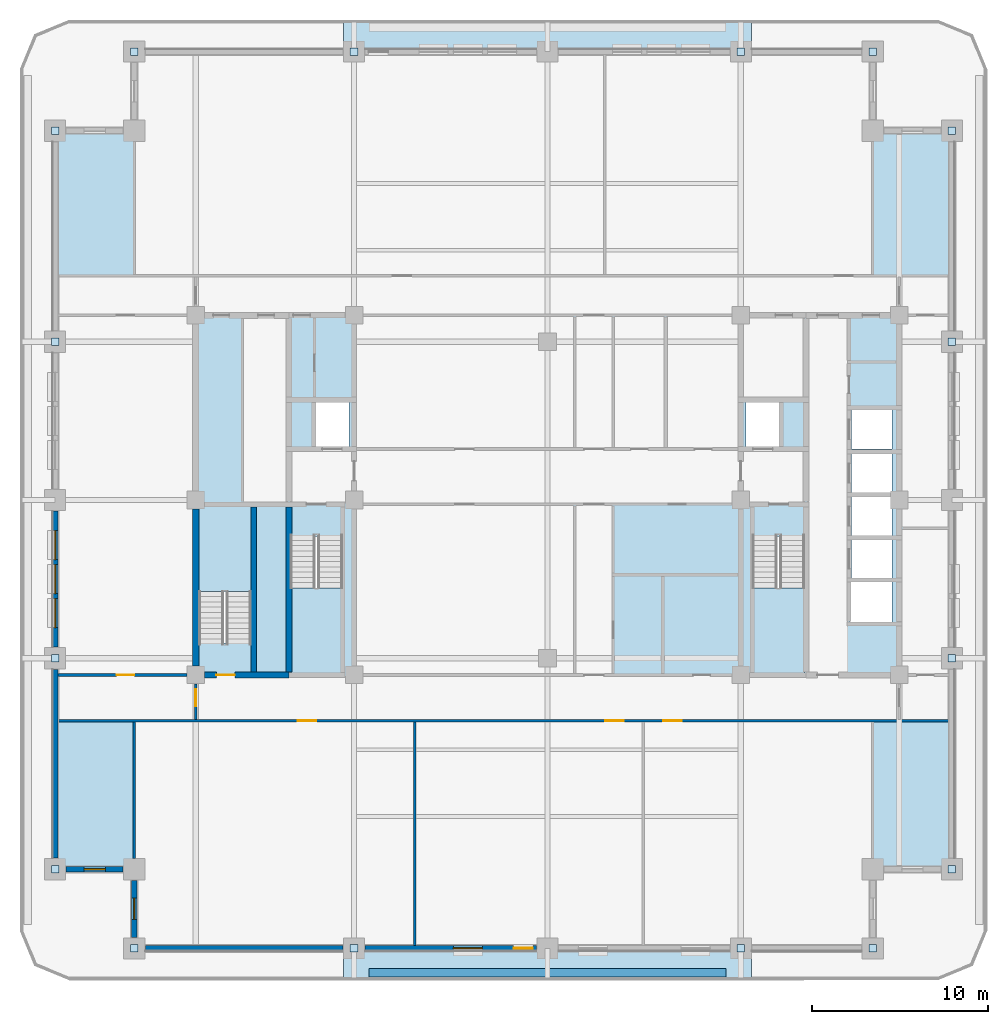
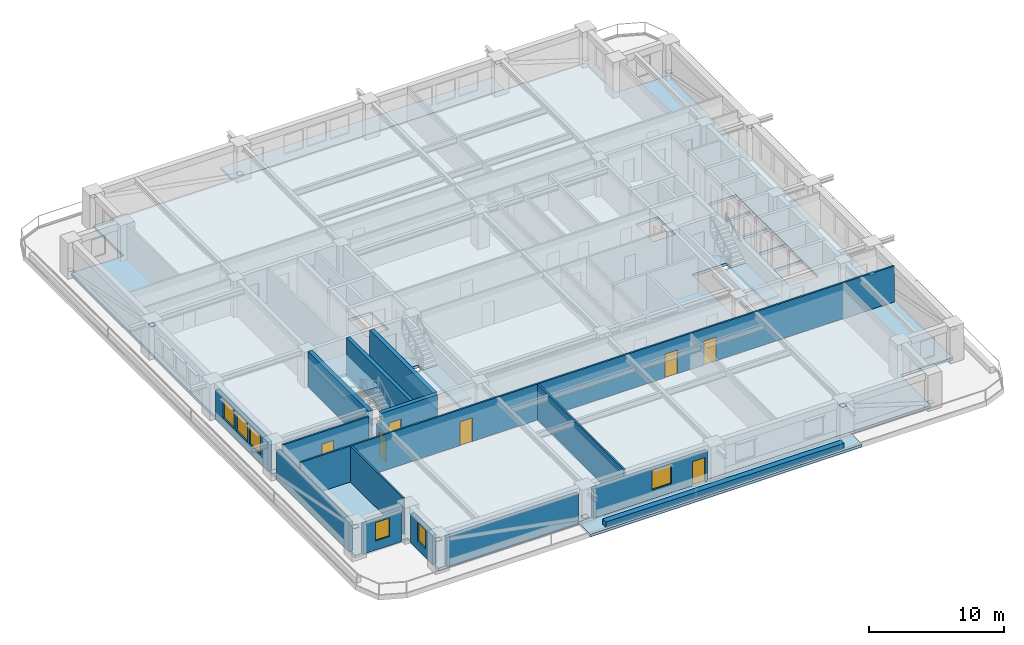
# One storey, part 2 of 15: 16 plates, 16 walls, 7 doors, 6 slabs, 6 windows, 13 openings, 3 elements without a shape of their own.
"""IFC4 building model written with IfcOpenShell, lengths in metres."""

from ifc_helpers import new_model, si_unit, direction, frame, frame_2d, origin, origin_2d, place, context, subcontext, project, spatial, polyline, rectangle, outline, extrude, material, layer, layer_set, type_object, element, fill, aggregate, save


model = new_model("IFC4")

# Units and contexts
model_context = context("Model", 3, precision=1e-05, world=origin(), true_north=direction((0.0, 1.0)))
body_context = subcontext(model_context, "Body", "Model", "MODEL_VIEW")
ifc_project = project(units=[si_unit("LENGTHUNIT", "METRE"), si_unit("AREAUNIT", "SQUARE_METRE"), si_unit("VOLUMEUNIT", "CUBIC_METRE"), si_unit("PLANEANGLEUNIT", "RADIAN"), si_unit("MASSUNIT", "GRAM", prefix="KILO")], contexts=[model_context])

# Site, building, storey
site_placement = place(None, origin())
site = spatial("IfcSite", under=ifc_project, at=site_placement, CompositionType="ELEMENT")
building_placement = place(site_placement, origin())
building = spatial("IfcBuilding", under=site, at=building_placement, Name="Zulmaris Gate Convention Tower", CompositionType="ELEMENT")
storey_placement = place(building_placement, frame((0.0, 0.0, 139.199951171875)))
storey = spatial("IfcBuildingStorey", under=building, at=storey_placement, Name="L35", CompositionType="ELEMENT", Elevation=139.199951171875)

# Plates
ifc_material_1 = material(Name="Steel S460", Category="steel")
ifc_layer_1 = layer(ifc_material_1, 0.02490234375, Name="Steel S460")
ifc_layer_set_1 = layer_set([ifc_layer_1], Name="Steel S460")
plate_type = type_object("IfcPlateType", Name="NP-CAP-440", PredefinedType="USERDEFINED", material=ifc_layer_set_1)
for number, where, z_axis, x_axis, name in (
    (1, (-28.0, -9.0, 0.28759765625), (0.0, 0.0, 1.0), (1.0, 0.0, 0.0), "L35 Steel Node Plate PBR-L35-SW-W-CAP"),
    (2, (-28.0, -21.0, 2.6123046875), (0.0, 0.0, 1.0), (1.0, 0.0, 0.0), "L35 Steel Node Plate PBR-L35-SW-W-CAPB"),
    (3, (-28.0, 21.0, 0.28759765625), (0.0, 0.0, 1.0), (1.0, 0.0, 0.0), "L35 Steel Node Plate PBR-L35-NW-W-CAP"),
    (4, (-28.0, 9.0, 2.6123046875), (0.0, 0.0, 1.0), (1.0, 0.0, 0.0), "L35 Steel Node Plate PBR-L35-NW-W-CAPB"),
    (5, (23.0, -9.0, 0.28759765625), (0.0, 0.0, 1.0), (1.0, 0.0, 0.0), "L35 Steel Node Plate PBR-L35-SE-E-CAP"),
    (6, (23.0, -21.0, 2.6123046875), (0.0, 0.0, 1.0), (1.0, 0.0, 0.0), "L35 Steel Node Plate PBR-L35-SE-E-CAPB"),
    (7, (23.0, 21.0, 0.28759765625), (0.0, 0.0, 1.0), (1.0, 0.0, 0.0), "L35 Steel Node Plate PBR-L35-NE-E-CAP"),
    (8, (23.0, 9.0, 2.6123046875), (0.0, 0.0, 1.0), (1.0, 0.0, 0.0), "L35 Steel Node Plate PBR-L35-NE-E-CAPB"),
    (9, (-11.0, -25.5, 0.28759765625), (0.0, 0.0, 1.0), (1.0, 0.0, 0.0), "L35 Steel Node Plate PBR-L35-SW-S-CAP"),
    (10, (-23.5, -25.5, 2.6123046875), (0.0, 0.0, 1.0), (1.0, 0.0, 0.0), "L35 Steel Node Plate PBR-L35-SW-S-CAPB"),
    (11, (18.5, -25.5, 0.28759765625), (0.0, 0.0, 1.0), (1.0, 0.0, 0.0), "L35 Steel Node Plate PBR-L35-SE-S-CAP"),
    (12, (11.0, -25.5, 2.6123046875), (0.0, 0.0, 1.0), (1.0, 0.0, 0.0), "L35 Steel Node Plate PBR-L35-SE-S-CAPB"),
    (13, (-11.0, 25.5, 0.28759765625), (0.0, 0.0, 1.0), (1.0, 0.0, 0.0), "L35 Steel Node Plate PBR-L35-NW-N-CAP"),
    (14, (-23.5, 25.5, 2.6123046875), (0.0, 0.0, 1.0), (1.0, 0.0, 0.0), "L35 Steel Node Plate PBR-L35-NW-N-CAPB"),
    (15, (18.5, 25.5, 0.28759765625), (0.0, 0.0, 1.0), (1.0, 0.0, 0.0), "L35 Steel Node Plate PBR-L35-NE-N-CAP"),
    (16, (11.0, 25.5, 2.6123046875), (0.0, 0.0, 1.0), (1.0, 0.0, 0.0), "L35 Steel Node Plate PBR-L35-NE-N-CAPB"),
):
    element("IfcPlate", number, at=place(storey_placement, frame(where, z_axis=z_axis, x_axis=x_axis)), inside=storey, type_object=plate_type, Name=name, ObjectType="FLANGE PLATE", PredefinedType="USERDEFINED", context=body_context, shape_type="SweptSolid", body=[
        extrude(rectangle(XDim=0.43994140625, YDim=0.43994140625, at=origin_2d()), origin(), (0.0, 0.0, 1.0), 0.02490234375),
    ])

# Slabs
ifc_material_2 = material(Name="Precast concrete C50/60", Category="concrete")
ifc_layer_2 = layer(ifc_material_2, 0.239990234375, Name="Precast concrete C50/60")
ifc_layer_set_2 = layer_set([ifc_layer_2], Name="Precast concrete C50/60")
slab_type_1 = type_object("IfcSlabType", Name="SL-BAL-240", PredefinedType="FLOOR", material=ifc_layer_set_2)
slab_1_placement = place(storey_placement, frame((0.0, 0.0, -0.25)))
element("IfcSlab", 17, at=slab_1_placement, inside=storey, type_object=slab_type_1, Name="L35 South Tree-Balcony Planter Slab", PredefinedType="FLOOR", context=body_context, shape_type="SweptSolid", body=[
    extrude(outline(polyline([(-11.597900390625, -27.300048828125), (-11.597900390625, -25.5), (11.597900390625, -25.5), (11.597900390625, -27.300048828125), (-11.597900390625, -27.300048828125)])), origin(), (0.0, 0.0, 1.0), 0.239990234375),
])
slab_2_placement = place(storey_placement, frame((0.0, 0.0, -0.25)))
element("IfcSlab", 18, at=slab_2_placement, inside=storey, type_object=slab_type_1, Name="L35 North Tree-Balcony Planter Slab", PredefinedType="FLOOR", context=body_context, shape_type="SweptSolid", body=[
    extrude(outline(polyline([(11.597900390625, 27.300048828125), (11.597900390625, 25.5), (-11.597900390625, 25.5), (-11.597900390625, 27.300048828125), (11.597900390625, 27.300048828125)])), origin(), (0.0, 0.0, 1.0), 0.239990234375),
])
ifc_material_3 = material(Name="Concrete C50/60", Category="concrete")
ifc_layer_3 = layer(ifc_material_3, 0.25, Name="Concrete C50/60")
ifc_layer_set_3 = layer_set([ifc_layer_3], Name="Concrete C50/60")
slab_type_2 = type_object("IfcSlabType", Name="SL-FLR-250", PredefinedType="FLOOR", material=ifc_layer_set_3)
slab_3_placement = place(storey_placement, frame((0.0, 0.0, -0.25)))
element("IfcSlab", 19, at=slab_3_placement, inside=storey, type_object=slab_type_2, Name="L35 Shifted Notched-Square Structural Floor Slab", PredefinedType="FLOOR", context=body_context, shape_type="SweptSolid", body=[
    extrude(outline(polyline([(-23.5, -25.5), (18.5, -25.5), (18.5, -21.0), (23.0, -21.0), (23.0, 21.0), (18.5, 21.0), (18.5, 25.5), (-23.5, 25.5), (-23.5, 21.0), (-28.0, 21.0), (-28.0, -21.0), (-23.5, -21.0), (-23.5, -25.5)]), holes=[polyline([(-14.6201171875, -2.080078125), (-14.6201171875, -9.85009765625), (-11.659912109375, -9.85009765625), (-11.659912109375, -2.080078125), (-14.6201171875, -2.080078125)]), polyline([(11.659912109375, -2.080078125), (11.659912109375, -9.85009765625), (14.6201171875, -9.85009765625), (14.6201171875, -2.080078125), (11.659912109375, -2.080078125)]), polyline([(-16.860107421875, -8.1201171875), (-16.860107421875, -0.35009765625), (-19.820068359375, -0.35009765625), (-19.820068359375, -8.1201171875), (-16.860107421875, -8.1201171875)]), polyline([(-13.199951171875, 3.0), (-11.300048828125, 3.0), (-11.300048828125, 5.60009765625), (-13.199951171875, 5.60009765625), (-13.199951171875, 3.0)]), polyline([(11.300048828125, 3.0), (13.199951171875, 3.0), (13.199951171875, 5.60009765625), (11.300048828125, 5.60009765625), (11.300048828125, 3.0)]), polyline([(17.199951171875, -7.0), (19.60009765625, -7.0), (19.60009765625, -4.60009765625), (17.199951171875, -4.60009765625), (17.199951171875, -7.0)]), polyline([(17.300048828125, -4.5), (19.60009765625, -4.5), (19.60009765625, -2.199951171875), (17.300048828125, -2.199951171875), (17.300048828125, -4.5)]), polyline([(17.300048828125, -2.10009765625), (19.60009765625, -2.10009765625), (19.60009765625, 0.199951171875), (17.300048828125, 0.199951171875), (17.300048828125, -2.10009765625)]), polyline([(17.300048828125, 0.39990234375), (19.60009765625, 0.39990234375), (19.60009765625, 2.699951171875), (17.300048828125, 2.699951171875), (17.300048828125, 0.39990234375)]), polyline([(17.300048828125, 2.89990234375), (19.60009765625, 2.89990234375), (19.60009765625, 5.199951171875), (17.300048828125, 5.199951171875), (17.300048828125, 2.89990234375)])]), origin(), (0.0, 0.0, 1.0), 0.25),
])

# Stair, slab
ifc_material_4 = material(Name="Concrete C45/55", Category="concrete")
stair_type = type_object("IfcStairType", Name="ST-CORE-DOGLEG", PredefinedType="HALF_TURN_STAIR", material=ifc_material_4)
stair_1_placement = place(storey_placement, origin())
stair_1 = element("IfcStair", 20, at=stair_1_placement, inside=storey, type_object=stair_type, Name="L35 Core Exit Stair ST-1", PredefinedType="HALF_TURN_STAIR")
ifc_layer_4 = layer(ifc_material_4, 0.199951171875, Name="Concrete C45/55")
ifc_layer_set_4 = layer_set([ifc_layer_4], Name="Concrete C45/55")
slab_type_3 = type_object("IfcSlabType", Name="SL-LND-200", PredefinedType="LANDING", material=ifc_layer_set_4)
slab_4_placement = place(storey_placement, frame((0.0, 0.0, 1.5849609375)))
slab_4 = element("IfcSlab", 21, at=slab_4_placement, type_object=slab_type_3, Name="ST-1 landing 1", PredefinedType="LANDING", context=body_context, shape_type="SweptSolid", body=[
    extrude(outline(polyline([(-14.6201171875, -5.0), (-14.6201171875, -9.85009765625), (-11.659912109375, -9.85009765625), (-11.659912109375, -5.0), (-14.6201171875, -5.0)])), origin(), (0.0, 0.0, 1.0), 0.199951171875),
])
aggregate(stair_1, [slab_4])

stair_2_placement = place(storey_placement, origin())
stair_2 = element("IfcStair", 22, at=stair_2_placement, inside=storey, type_object=stair_type, Name="L35 Core Exit Stair ST-2", PredefinedType="HALF_TURN_STAIR")
slab_5_placement = place(storey_placement, frame((0.0, 0.0, 1.5849609375)))
slab_5 = element("IfcSlab", 23, at=slab_5_placement, type_object=slab_type_3, Name="ST-2 landing 1", PredefinedType="LANDING", context=body_context, shape_type="SweptSolid", body=[
    extrude(outline(polyline([(11.659912109375, -5.0), (11.659912109375, -9.85009765625), (14.6201171875, -9.85009765625), (14.6201171875, -5.0), (11.659912109375, -5.0)])), origin(), (0.0, 0.0, 1.0), 0.199951171875),
])
aggregate(stair_2, [slab_5])

stair_3_placement = place(storey_placement, origin())
stair_3 = element("IfcStair", 24, at=stair_3_placement, inside=storey, type_object=stair_type, Name="L35 Core Exit Stair ST-3", PredefinedType="HALF_TURN_STAIR")
slab_6_placement = place(storey_placement, frame((0.0, 0.0, 1.5849609375)))
slab_6 = element("IfcSlab", 25, at=slab_6_placement, type_object=slab_type_3, Name="ST-3 landing 1", PredefinedType="LANDING", context=body_context, shape_type="SweptSolid", body=[
    extrude(outline(polyline([(-16.860107421875, -5.199951171875), (-16.860107421875, -0.35009765625), (-19.820068359375, -0.35009765625), (-19.820068359375, -5.199951171875), (-16.860107421875, -5.199951171875)])), origin(), (0.0, 0.0, 1.0), 0.199951171875),
])
aggregate(stair_3, [slab_6])

# Wall
ifc_layer_5 = layer(ifc_material_3, 0.300048828125, Name="Concrete C50/60")
ifc_layer_set_5 = layer_set([ifc_layer_5], Name="Concrete C50/60")
wall_type_1 = type_object("IfcWallType", Name="CORE-300", PredefinedType="SHEAR", material=ifc_layer_set_5)
wall_1_placement = place(storey_placement, frame((-16.699951171875, -9.77294921875, 0.0), z_axis=(0.0, 0.0, 1.0), x_axis=(0.0, 1.0, 0.0)))
element("IfcWall", 26, at=wall_1_placement, inside=storey, type_object=wall_type_1, Name="WL-L35-036", PredefinedType="SHEAR", context=body_context, shape_type="SweptSolid", body=[
    extrude(rectangle(XDim=9.370849609375, YDim=0.300048828125, at=frame_2d((4.685546875, 0.0))), origin(), (0.0, 0.0, 1.0), 3.244873046875),
])

# Wall, opening, door
ifc_material_5 = material(Name="Concrete C55/67", Category="concrete")
ifc_layer_6 = layer(ifc_material_5, 0.35009765625, Name="Concrete C55/67")
ifc_layer_set_6 = layer_set([ifc_layer_6], Name="Concrete C55/67")
wall_type_2 = type_object("IfcWallType", Name="CORE-350", PredefinedType="SHEAR", material=ifc_layer_set_6)
wall_2_placement = place(storey_placement, frame((-19.49609375, -9.949951171875, 0.0), z_axis=(0.0, 0.0, 1.0), x_axis=(1.0, 0.0, 0.0)))
wall_2 = element("IfcWall", 27, at=wall_2_placement, inside=storey, type_object=wall_type_2, Name="WL-L35-001", PredefinedType="SHEAR", context=body_context, shape_type="SweptSolid", body=[
    extrude(rectangle(XDim=4.796142578125, YDim=0.35009765625, at=frame_2d((2.39794921875, 0.0))), origin(), (0.0, 0.0, 1.0), 3.244873046875),
])
opening_1_placement = place(wall_2_placement, frame((0.6708984375, 0.0, 0.0)))
opening_1 = element("IfcOpeningElement", 28, at=opening_1_placement, cuts=wall_2, Name="Opening D-09", PredefinedType="OPENING", context=body_context, shape_type="SweptSolid", body=[
    extrude(rectangle(XDim=1.050048828125, YDim=2.14990234375, at=frame_2d((0.52490234375, 1.074951171875))), frame((0.0, 0.18505859375, 0.0), z_axis=(0.0, -1.0, 0.0), x_axis=(1.0, 0.0, 0.0)), (0.0, 0.0, 1.0), 0.3701171875),
])
ifc_material_6 = material(Name="Fire-Rated Steel", Category="steel")
door_type_1 = type_object("IfcDoorType", Name="DR-1050-FD", OperationType="NOTDEFINED", PredefinedType="DOOR", material=ifc_material_6)
door_1_placement = place(opening_1_placement, origin())
door_1 = element("IfcDoor", 29, at=door_1_placement, inside=storey, type_object=door_type_1, Name="L35 Exit Stair ST-3 Door 10", OperationType="SINGLE_SWING_RIGHT", OverallHeight=2.14990234375, OverallWidth=1.050048828125, PredefinedType="DOOR", context=body_context, shape_type="SweptSolid", body=[
    extrude(rectangle(XDim=1.050048828125, YDim=2.14990234375, at=frame_2d((0.52490234375, 1.074951171875))), frame((0.0, 0.02490234375, 0.0), z_axis=(0.0, -1.0, 0.0), x_axis=(1.0, 0.0, 0.0)), (0.0, 0.0, 1.0), 0.050048828125),
])
fill(opening_1, door_1)

# Walls
wall_3_placement = place(storey_placement, frame((-20.0, -9.446044921875, 0.0), z_axis=(0.0, 0.0, 1.0), x_axis=(0.0, 1.0, 0.0)))
element("IfcWall", 30, at=wall_3_placement, inside=storey, type_object=wall_type_2, Name="WL-L35-034", PredefinedType="SHEAR", context=body_context, shape_type="SweptSolid", body=[
    extrude(rectangle(XDim=8.942138671875, YDim=0.35009765625, at=frame_2d((4.47119140625, 0.0))), origin(), (0.0, 0.0, 1.0), 3.244873046875),
])
wall_4_placement = place(storey_placement, frame((-14.699951171875, -9.77294921875, 0.0), z_axis=(0.0, 0.0, 1.0), x_axis=(0.0, 1.0, 0.0)))
element("IfcWall", 31, at=wall_4_placement, inside=storey, type_object=wall_type_2, Name="WL-L35-037", PredefinedType="SHEAR", context=body_context, shape_type="SweptSolid", body=[
    extrude(rectangle(XDim=9.370849609375, YDim=0.35009765625, at=frame_2d((4.685546875, 0.0))), origin(), (0.0, 0.0, 1.0), 3.244873046875),
])

# Wall, openings, doors
ifc_material_7 = material(Name="Gypsum Metal Stud Partition")
ifc_layer_7 = layer(ifc_material_7, 0.14990234375, Name="Gypsum Metal Stud Partition")
ifc_layer_set_7 = layer_set([ifc_layer_7], Name="Gypsum Metal Stud Partition")
wall_type_3 = type_object("IfcWallType", Name="PART-150", PredefinedType="PARTITIONING", material=ifc_layer_set_7)
wall_5_placement = place(storey_placement, frame((-27.8349609375, -12.550048828125, 0.0), z_axis=(0.0, 0.0, 1.0), x_axis=(1.0, 0.0, 0.0)))
wall_5 = element("IfcWall", 32, at=wall_5_placement, inside=storey, type_object=wall_type_3, Name="WL-L35-021", PredefinedType="PARTITIONING", context=body_context, shape_type="SweptSolid", body=[
    extrude(rectangle(XDim=50.669921875, YDim=0.14990234375, at=frame_2d((25.3349609375, 0.0))), origin(), (0.0, 0.0, 1.0), 3.244873046875),
])
opening_2_placement = place(wall_5_placement, frame((13.6298828125, 0.0, 0.0)))
opening_2 = element("IfcOpeningElement", 33, at=opening_2_placement, cuts=wall_5, Name="Opening D-09", PredefinedType="OPENING", context=body_context, shape_type="SweptSolid", body=[
    extrude(rectangle(XDim=1.050048828125, YDim=2.14990234375, at=frame_2d((0.52490234375, 1.074951171875))), frame((0.0, 0.0849609375, 0.0), z_axis=(0.0, -1.0, 0.0), x_axis=(1.0, 0.0, 0.0)), (0.0, 0.0, 1.0), 0.169921875),
])
opening_3_placement = place(wall_5_placement, frame((31.110107421875, 0.0, 0.0)))
opening_3 = element("IfcOpeningElement", 34, at=opening_3_placement, cuts=wall_5, Name="Opening D-09", PredefinedType="OPENING", context=body_context, shape_type="SweptSolid", body=[
    extrude(rectangle(XDim=1.050048828125, YDim=2.14990234375, at=frame_2d((0.52490234375, 1.074951171875))), frame((0.0, 0.0849609375, 0.0), z_axis=(0.0, -1.0, 0.0), x_axis=(1.0, 0.0, 0.0)), (0.0, 0.0, 1.0), 0.169921875),
])
opening_4_placement = place(wall_5_placement, frame((34.409912109375, 0.0, 0.0)))
opening_4 = element("IfcOpeningElement", 35, at=opening_4_placement, cuts=wall_5, Name="Opening D-09", PredefinedType="OPENING", context=body_context, shape_type="SweptSolid", body=[
    extrude(rectangle(XDim=1.050048828125, YDim=2.14990234375, at=frame_2d((0.52490234375, 1.074951171875))), frame((0.0, 0.0849609375, 0.0), z_axis=(0.0, -1.0, 0.0), x_axis=(1.0, 0.0, 0.0)), (0.0, 0.0, 1.0), 0.169921875),
])
door_2_placement = place(opening_2_placement, origin())
door_2 = element("IfcDoor", 36, at=door_2_placement, inside=storey, type_object=door_type_1, Name="L35 Partner Corner Office Door 27", OperationType="SINGLE_SWING_LEFT", OverallHeight=2.14990234375, OverallWidth=1.050048828125, PredefinedType="DOOR", context=body_context, shape_type="SweptSolid", body=[
    extrude(rectangle(XDim=1.050048828125, YDim=2.14990234375, at=frame_2d((0.52490234375, 1.074951171875))), frame((0.0, 0.02490234375, 0.0), z_axis=(0.0, -1.0, 0.0), x_axis=(1.0, 0.0, 0.0)), (0.0, 0.0, 1.0), 0.050048828125),
])
fill(opening_2, door_2)
door_3_placement = place(opening_3_placement, origin())
door_3 = element("IfcDoor", 37, at=door_3_placement, inside=storey, type_object=door_type_1, Name="L35 Advisory Suite Office Door 28", OperationType="SINGLE_SWING_RIGHT", OverallHeight=2.14990234375, OverallWidth=1.050048828125, PredefinedType="DOOR", context=body_context, shape_type="SweptSolid", body=[
    extrude(rectangle(XDim=1.050048828125, YDim=2.14990234375, at=frame_2d((0.52490234375, 1.074951171875))), frame((0.0, 0.02490234375, 0.0), z_axis=(0.0, -1.0, 0.0), x_axis=(1.0, 0.0, 0.0)), (0.0, 0.0, 1.0), 0.050048828125),
])
fill(opening_3, door_3)
door_4_placement = place(opening_4_placement, origin())
door_4 = element("IfcDoor", 38, at=door_4_placement, inside=storey, type_object=door_type_1, Name="L35 Open Plan Workplace Door 29", OperationType="SINGLE_SWING_LEFT", OverallHeight=2.14990234375, OverallWidth=1.050048828125, PredefinedType="DOOR", context=body_context, shape_type="SweptSolid", body=[
    extrude(rectangle(XDim=1.050048828125, YDim=2.14990234375, at=frame_2d((0.52490234375, 1.074951171875))), frame((0.0, 0.02490234375, 0.0), z_axis=(0.0, -1.0, 0.0), x_axis=(1.0, 0.0, 0.0)), (0.0, 0.0, 1.0), 0.050048828125),
])
fill(opening_4, door_4)

# Wall, opening, door
wall_6_placement = place(storey_placement, frame((-27.8349609375, -9.949951171875, 0.0), z_axis=(0.0, 0.0, 1.0), x_axis=(1.0, 0.0, 0.0)))
wall_6 = element("IfcWall", 39, at=wall_6_placement, inside=storey, type_object=wall_type_3, Name="WL-L35-022", PredefinedType="PARTITIONING", context=body_context, shape_type="SweptSolid", body=[
    extrude(rectangle(XDim=7.328857421875, YDim=0.14990234375, at=frame_2d((3.66455078125, 0.0))), origin(), (0.0, 0.0, 1.0), 3.244873046875),
])
opening_5_placement = place(wall_6_placement, frame((3.3349609375, 0.0, 0.0)))
opening_5 = element("IfcOpeningElement", 40, at=opening_5_placement, cuts=wall_6, Name="Opening D-10", PredefinedType="OPENING", context=body_context, shape_type="SweptSolid", body=[
    extrude(rectangle(XDim=1.0, YDim=2.14990234375, at=frame_2d((0.5, 1.074951171875))), frame((0.0, 0.0849609375, 0.0), z_axis=(0.0, -1.0, 0.0), x_axis=(1.0, 0.0, 0.0)), (0.0, 0.0, 1.0), 0.169921875),
])
ifc_material_8 = material(Name="Fire-Rated Timber", Category="wood")
door_type_2 = type_object("IfcDoorType", Name="DR-1000-FD", OperationType="NOTDEFINED", PredefinedType="DOOR", material=ifc_material_8)
door_5_placement = place(opening_5_placement, origin())
door_5 = element("IfcDoor", 41, at=door_5_placement, inside=storey, type_object=door_type_2, Name="L35 West Workplace South Door 40", OperationType="SINGLE_SWING_RIGHT", OverallHeight=2.14990234375, OverallWidth=1.0, PredefinedType="DOOR", context=body_context, shape_type="SweptSolid", body=[
    extrude(rectangle(XDim=1.0, YDim=2.14990234375, at=frame_2d((0.5, 1.074951171875))), frame((0.0, 0.02490234375, 0.0), z_axis=(0.0, -1.0, 0.0), x_axis=(1.0, 0.0, 0.0)), (0.0, 0.0, 1.0), 0.050048828125),
])
fill(opening_5, door_5)

# Wall
wall_7_placement = place(storey_placement, frame((-23.5, -20.39404296875, 0.0), z_axis=(0.0, 0.0, 1.0), x_axis=(0.0, 1.0, 0.0)))
element("IfcWall", 42, at=wall_7_placement, inside=storey, type_object=wall_type_3, Name="WL-L35-069", PredefinedType="PARTITIONING", context=body_context, shape_type="SweptSolid", body=[
    extrude(rectangle(XDim=7.76611328125, YDim=0.14990234375, at=frame_2d((3.883056640625, 0.0))), origin(), (0.0, 0.0, 1.0), 3.244873046875),
])

# Wall, opening, door
wall_8_placement = place(storey_placement, frame((-20.0, -12.471923828125, 0.0), z_axis=(0.0, 0.0, 1.0), x_axis=(0.0, 1.0, 0.0)))
wall_8 = element("IfcWall", 43, at=wall_8_placement, inside=storey, type_object=wall_type_3, Name="WL-L35-071", PredefinedType="PARTITIONING", context=body_context, shape_type="SweptSolid", body=[
    extrude(rectangle(XDim=2.015869140625, YDim=0.14990234375, at=frame_2d((1.0078125, 0.0))), origin(), (0.0, 0.0, 1.0), 2.73486328125),
])
opening_6_placement = place(wall_8_placement, frame((0.7470703125, 0.0, 0.0)))
opening_6 = element("IfcOpeningElement", 44, at=opening_6_placement, cuts=wall_8, Name="Opening D-11", PredefinedType="OPENING", context=body_context, shape_type="SweptSolid", body=[
    extrude(rectangle(XDim=0.949951171875, YDim=2.14990234375, at=frame_2d((0.47509765625, 1.074951171875))), frame((0.0, 0.0849609375, 0.0), z_axis=(0.0, -1.0, 0.0), x_axis=(1.0, 0.0, 0.0)), (0.0, 0.0, 1.0), 0.169921875),
])
door_type_3 = type_object("IfcDoorType", Name="DR-950-FD", OperationType="NOTDEFINED", PredefinedType="DOOR", material=ifc_material_8)
door_6_placement = place(opening_6_placement, origin())
door_6 = element("IfcDoor", 45, at=door_6_placement, inside=storey, type_object=door_type_3, Name="L35 SW Spur Door 38", OperationType="SINGLE_SWING_RIGHT", OverallHeight=2.14990234375, OverallWidth=0.949951171875, PredefinedType="DOOR", context=body_context, shape_type="SweptSolid", body=[
    extrude(rectangle(XDim=0.949951171875, YDim=2.14990234375, at=frame_2d((0.47509765625, 1.074951171875))), frame((0.0, 0.02490234375, 0.0), z_axis=(0.0, -1.0, 0.0), x_axis=(1.0, 0.0, 0.0)), (0.0, 0.0, 1.0), 0.050048828125),
])
fill(opening_6, door_6)

# Walls
wall_9_placement = place(storey_placement, frame((-7.550048828125, -25.3349609375, 0.0), z_axis=(0.0, 0.0, 1.0), x_axis=(0.0, 1.0, 0.0)))
element("IfcWall", 46, at=wall_9_placement, inside=storey, type_object=wall_type_3, Name="WL-L35-075", PredefinedType="PARTITIONING", context=body_context, shape_type="SweptSolid", body=[
    extrude(rectangle(XDim=12.70703125, YDim=0.14990234375, at=frame_2d((6.353515625, 0.0))), origin(), (0.0, 0.0, 1.0), 3.244873046875),
])
ifc_material_9 = material(Name="Botanical Green Glazed Precast Concrete C40/50", Category="concrete")
ifc_layer_8 = layer(ifc_material_9, 0.419921875, Name="Botanical Green Glazed Precast Concrete C40/50")
ifc_layer_set_8 = layer_set([ifc_layer_8], Name="Botanical Green Glazed Precast Concrete C40/50")
wall_type_4 = type_object("IfcWallType", Name="PLANTER-CURB-200", PredefinedType="PARAPET", material=ifc_layer_set_8)
wall_10_placement = place(storey_placement, frame((-10.14990234375, -26.8798828125, -0.0400390625), z_axis=(0.0, 0.0, 1.0), x_axis=(1.0, 0.0, 0.0)))
element("IfcWall", 47, at=wall_10_placement, inside=storey, type_object=wall_type_4, Name="L35 Full-Length Balcony Tree Planter Trough", PredefinedType="PARAPET", context=body_context, shape_type="SweptSolid", body=[
    extrude(rectangle(XDim=20.2998046875, YDim=0.47998046875, at=frame_2d((10.14990234375, 0.0))), origin(), (0.0, 0.0, 1.0), 0.52001953125),
])

# Wall, opening, window
ifc_material_10 = material(Name="Precast concrete C40/50", Category="concrete")
ifc_layer_9 = layer(ifc_material_10, 0.300048828125, Name="Precast concrete C40/50")
ifc_layer_set_9 = layer_set([ifc_layer_9], Name="Precast concrete C40/50")
wall_type_5 = type_object("IfcWallType", Name="PRECAST-PIER-300", PredefinedType="STANDARD", material=ifc_layer_set_9)
wall_11_placement = place(storey_placement, frame((-27.3701171875, -21.0, 0.0), z_axis=(0.0, 0.0, 1.0), x_axis=(1.0, 0.0, 0.0)))
wall_11 = element("IfcWall", 48, at=wall_11_placement, inside=storey, type_object=wall_type_5, Name="EW-L35-NOTCH-SW1_0", PredefinedType="STANDARD", context=body_context, shape_type="SweptSolid", body=[
    extrude(rectangle(XDim=3.240234375, YDim=0.300048828125, at=frame_2d((1.6201171875, 0.0))), origin(), (0.0, 0.0, 1.0), 2.636962890625),
])
opening_7_placement = place(wall_11_placement, frame((1.02001953125, 0.0, 0.820068359375)))
opening_7 = element("IfcOpeningElement", 49, at=opening_7_placement, cuts=wall_11, Name="Opening W-04", PredefinedType="OPENING", context=body_context, shape_type="SweptSolid", body=[
    extrude(rectangle(XDim=1.199951171875, YDim=1.64990234375, at=frame_2d((0.60009765625, 0.824951171875))), frame((0.0, 0.16015625, 0.0), z_axis=(0.0, -1.0, 0.0), x_axis=(1.0, 0.0, 0.0)), (0.0, 0.0, 1.0), 0.320068359375),
])
ifc_material_11 = material(Name="Low-E Laminated Double Glazing in Aluminium Frame", Category="aluminium")
window_type_1 = type_object("IfcWindowType", Name="WIN-1200x2100", PartitioningType="SINGLE_PANEL", PredefinedType="WINDOW", material=ifc_material_11)
window_1_placement = place(opening_7_placement, origin())
window_1 = element("IfcWindow", 50, at=window_1_placement, inside=storey, type_object=window_type_1, Name="WN-EW-L35-NOTCH-SW1_0", OverallHeight=1.64990234375, OverallWidth=1.199951171875, PartitioningType="SINGLE_PANEL", PredefinedType="WINDOW", context=body_context, shape_type="SweptSolid", body=[
    extrude(rectangle(XDim=1.199951171875, YDim=1.64990234375, at=frame_2d((0.60009765625, 0.824951171875))), frame((0.0, 0.030029296875, 0.0), z_axis=(0.0, -1.0, 0.0), x_axis=(1.0, 0.0, 0.0)), (0.0, 0.0, 1.0), 0.06005859375),
])
fill(opening_7, window_1)

wall_12_placement = place(storey_placement, frame((-23.5, -21.6298828125, 0.0), z_axis=(0.0, 0.0, 1.0), x_axis=(0.0, -1.0, 0.0)))
wall_12 = element("IfcWall", 51, at=wall_12_placement, inside=storey, type_object=wall_type_5, Name="EW-L35-NOTCH-SW2_0", PredefinedType="STANDARD", context=body_context, shape_type="SweptSolid", body=[
    extrude(rectangle(XDim=3.240234375, YDim=0.300048828125, at=frame_2d((1.6201171875, 0.0))), origin(), (0.0, 0.0, 1.0), 2.636962890625),
])
opening_8_placement = place(wall_12_placement, frame((1.02001953125, 0.0, 0.820068359375)))
opening_8 = element("IfcOpeningElement", 52, at=opening_8_placement, cuts=wall_12, Name="Opening W-04", PredefinedType="OPENING", context=body_context, shape_type="SweptSolid", body=[
    extrude(rectangle(XDim=1.199951171875, YDim=1.64990234375, at=frame_2d((0.60009765625, 0.824951171875))), frame((0.0, 0.16015625, 0.0), z_axis=(0.0, -1.0, 0.0), x_axis=(1.0, 0.0, 0.0)), (0.0, 0.0, 1.0), 0.320068359375),
])
window_2_placement = place(opening_8_placement, origin())
window_2 = element("IfcWindow", 53, at=window_2_placement, inside=storey, type_object=window_type_1, Name="WN-EW-L35-NOTCH-SW2_0", OverallHeight=1.64990234375, OverallWidth=1.199951171875, PartitioningType="SINGLE_PANEL", PredefinedType="WINDOW", context=body_context, shape_type="SweptSolid", body=[
    extrude(rectangle(XDim=1.199951171875, YDim=1.64990234375, at=frame_2d((0.60009765625, 0.824951171875))), frame((0.0, 0.030029296875, 0.0), z_axis=(0.0, -1.0, 0.0), x_axis=(1.0, 0.0, 0.0)), (0.0, 0.0, 1.0), 0.06005859375),
])
fill(opening_8, window_2)

# Wall
wall_13_placement = place(storey_placement, frame((-22.8701171875, -25.5, 0.0), z_axis=(0.0, 0.0, 1.0), x_axis=(1.0, 0.0, 0.0)))
element("IfcWall", 54, at=wall_13_placement, inside=storey, type_object=wall_type_5, Name="EW-L35-S-0_0", PredefinedType="STANDARD", context=body_context, shape_type="SweptSolid", body=[
    extrude(rectangle(XDim=11.240234375, YDim=0.300048828125, at=frame_2d((5.6201171875, 0.0))), origin(), (0.0, 0.0, 1.0), 2.636962890625),
])

# Wall, openings, door, window
wall_14_placement = place(storey_placement, frame((-10.3701171875, -25.5, 0.0), z_axis=(0.0, 0.0, 1.0), x_axis=(1.0, 0.0, 0.0)))
wall_14 = element("IfcWall", 55, at=wall_14_placement, inside=storey, type_object=wall_type_5, Name="EW-L35-S-1_0", PredefinedType="STANDARD", context=body_context, shape_type="SweptSolid", body=[
    extrude(rectangle(XDim=9.740234375, YDim=0.300048828125, at=frame_2d((4.8701171875, 0.0))), origin(), (0.0, 0.0, 1.0), 2.636962890625),
])
opening_9_placement = place(wall_14_placement, frame((8.43994140625, 0.0, 0.0)))
opening_9 = element("IfcOpeningElement", 56, at=opening_9_placement, cuts=wall_14, Name="Opening D-04", PredefinedType="OPENING", context=body_context, shape_type="SweptSolid", body=[
    extrude(rectangle(XDim=1.10009765625, YDim=2.14990234375, at=frame_2d((0.550048828125, 1.074951171875))), frame((0.0, 0.16015625, 0.0), z_axis=(0.0, -1.0, 0.0), x_axis=(1.0, 0.0, 0.0)), (0.0, 0.0, 1.0), 0.320068359375),
])
opening_10_placement = place(wall_14_placement, frame((5.01904296875, 0.0, 0.800048828125)))
opening_10 = element("IfcOpeningElement", 57, at=opening_10_placement, cuts=wall_14, Name="Opening W-08", PredefinedType="OPENING", context=body_context, shape_type="SweptSolid", body=[
    extrude(rectangle(XDim=1.64990234375, YDim=1.699951171875, at=frame_2d((0.824951171875, 0.85009765625))), frame((0.0, 0.16015625, 0.0), z_axis=(0.0, -1.0, 0.0), x_axis=(1.0, 0.0, 0.0)), (0.0, 0.0, 1.0), 0.320068359375),
])
ifc_material_12 = material(Name="Anodised Aluminium and Laminated Glass", Category="aluminium")
door_type_4 = type_object("IfcDoorType", Name="ED-1100", OperationType="SINGLE_SWING_RIGHT", PredefinedType="DOOR", material=ifc_material_12)
door_7_placement = place(opening_9_placement, origin())
door_7 = element("IfcDoor", 58, at=door_7_placement, inside=storey, type_object=door_type_4, Name="L35 S Planted Terrace Door", OperationType="SINGLE_SWING_RIGHT", OverallHeight=2.14990234375, OverallWidth=1.10009765625, PredefinedType="DOOR", context=body_context, shape_type="SweptSolid", body=[
    extrude(rectangle(XDim=1.10009765625, YDim=2.14990234375, at=frame_2d((0.550048828125, 1.074951171875))), frame((0.0, 0.02490234375, 0.0), z_axis=(0.0, -1.0, 0.0), x_axis=(1.0, 0.0, 0.0)), (0.0, 0.0, 1.0), 0.050048828125),
])
fill(opening_9, door_7)
window_type_2 = type_object("IfcWindowType", Name="WIN-1650x2150", PartitioningType="SINGLE_PANEL", PredefinedType="WINDOW", material=ifc_material_11)
window_3_placement = place(opening_10_placement, origin())
window_3 = element("IfcWindow", 59, at=window_3_placement, inside=storey, type_object=window_type_2, Name="WN-EW-L35-S-1_0-3", OverallHeight=1.699951171875, OverallWidth=1.64990234375, PartitioningType="SINGLE_PANEL", PredefinedType="WINDOW", context=body_context, shape_type="SweptSolid", body=[
    extrude(rectangle(XDim=1.64990234375, YDim=1.699951171875, at=frame_2d((0.824951171875, 0.85009765625))), frame((0.0, 0.030029296875, 0.0), z_axis=(0.0, -1.0, 0.0), x_axis=(1.0, 0.0, 0.0)), (0.0, 0.0, 1.0), 0.06005859375),
])
fill(opening_10, window_3)

# Wall
wall_15_placement = place(storey_placement, frame((-28.0, -9.6298828125, 0.0), z_axis=(0.0, 0.0, 1.0), x_axis=(0.0, -1.0, 0.0)))
element("IfcWall", 60, at=wall_15_placement, inside=storey, type_object=wall_type_5, Name="EW-L35-W-0_0", PredefinedType="STANDARD", context=body_context, shape_type="SweptSolid", body=[
    extrude(rectangle(XDim=10.740234375, YDim=0.300048828125, at=frame_2d((5.3701171875, 0.0))), origin(), (0.0, 0.0, 1.0), 2.636962890625),
])

# Wall, openings, windows
wall_16_placement = place(storey_placement, frame((-28.0, -0.6298828125, 0.0), z_axis=(0.0, 0.0, 1.0), x_axis=(0.0, -1.0, 0.0)))
wall_16 = element("IfcWall", 61, at=wall_16_placement, inside=storey, type_object=wall_type_5, Name="EW-L35-W-1_0", PredefinedType="STANDARD", context=body_context, shape_type="SweptSolid", body=[
    extrude(rectangle(XDim=7.740234375, YDim=0.300048828125, at=frame_2d((3.8701171875, 0.0))), origin(), (0.0, 0.0, 1.0), 2.636962890625),
])
opening_11_placement = place(wall_16_placement, frame((1.110107421875, 0.0, 0.800048828125)))
opening_11 = element("IfcOpeningElement", 62, at=opening_11_placement, cuts=wall_16, Name="Opening W-08", PredefinedType="OPENING", context=body_context, shape_type="SweptSolid", body=[
    extrude(rectangle(XDim=1.64990234375, YDim=1.699951171875, at=frame_2d((0.824951171875, 0.85009765625))), frame((0.0, 0.16015625, 0.0), z_axis=(0.0, -1.0, 0.0), x_axis=(1.0, 0.0, 0.0)), (0.0, 0.0, 1.0), 0.320068359375),
])
opening_12_placement = place(wall_16_placement, frame((3.044921875, 0.0, 0.800048828125)))
opening_12 = element("IfcOpeningElement", 63, at=opening_12_placement, cuts=wall_16, Name="Opening W-08", PredefinedType="OPENING", context=body_context, shape_type="SweptSolid", body=[
    extrude(rectangle(XDim=1.64990234375, YDim=1.699951171875, at=frame_2d((0.824951171875, 0.85009765625))), frame((0.0, 0.16015625, 0.0), z_axis=(0.0, -1.0, 0.0), x_axis=(1.0, 0.0, 0.0)), (0.0, 0.0, 1.0), 0.320068359375),
])
opening_13_placement = place(wall_16_placement, frame((4.97998046875, 0.0, 0.800048828125)))
opening_13 = element("IfcOpeningElement", 64, at=opening_13_placement, cuts=wall_16, Name="Opening W-08", PredefinedType="OPENING", context=body_context, shape_type="SweptSolid", body=[
    extrude(rectangle(XDim=1.64990234375, YDim=1.699951171875, at=frame_2d((0.824951171875, 0.85009765625))), frame((0.0, 0.16015625, 0.0), z_axis=(0.0, -1.0, 0.0), x_axis=(1.0, 0.0, 0.0)), (0.0, 0.0, 1.0), 0.320068359375),
])
window_4_placement = place(opening_11_placement, origin())
window_4 = element("IfcWindow", 65, at=window_4_placement, inside=storey, type_object=window_type_2, Name="WN-EW-L35-W-1_0-1", OverallHeight=1.699951171875, OverallWidth=1.64990234375, PartitioningType="SINGLE_PANEL", PredefinedType="WINDOW", context=body_context, shape_type="SweptSolid", body=[
    extrude(rectangle(XDim=1.64990234375, YDim=1.699951171875, at=frame_2d((0.824951171875, 0.85009765625))), frame((0.0, 0.030029296875, 0.0), z_axis=(0.0, -1.0, 0.0), x_axis=(1.0, 0.0, 0.0)), (0.0, 0.0, 1.0), 0.06005859375),
])
fill(opening_11, window_4)
window_5_placement = place(opening_12_placement, origin())
window_5 = element("IfcWindow", 66, at=window_5_placement, inside=storey, type_object=window_type_2, Name="WN-EW-L35-W-1_0-2", OverallHeight=1.699951171875, OverallWidth=1.64990234375, PartitioningType="SINGLE_PANEL", PredefinedType="WINDOW", context=body_context, shape_type="SweptSolid", body=[
    extrude(rectangle(XDim=1.64990234375, YDim=1.699951171875, at=frame_2d((0.824951171875, 0.85009765625))), frame((0.0, 0.030029296875, 0.0), z_axis=(0.0, -1.0, 0.0), x_axis=(1.0, 0.0, 0.0)), (0.0, 0.0, 1.0), 0.06005859375),
])
fill(opening_12, window_5)
window_6_placement = place(opening_13_placement, origin())
window_6 = element("IfcWindow", 67, at=window_6_placement, inside=storey, type_object=window_type_2, Name="WN-EW-L35-W-1_0-3", OverallHeight=1.699951171875, OverallWidth=1.64990234375, PartitioningType="SINGLE_PANEL", PredefinedType="WINDOW", context=body_context, shape_type="SweptSolid", body=[
    extrude(rectangle(XDim=1.64990234375, YDim=1.699951171875, at=frame_2d((0.824951171875, 0.85009765625))), frame((0.0, 0.030029296875, 0.0), z_axis=(0.0, -1.0, 0.0), x_axis=(1.0, 0.0, 0.0)), (0.0, 0.0, 1.0), 0.06005859375),
])
fill(opening_13, window_6)

save(model, "model.ifc")
